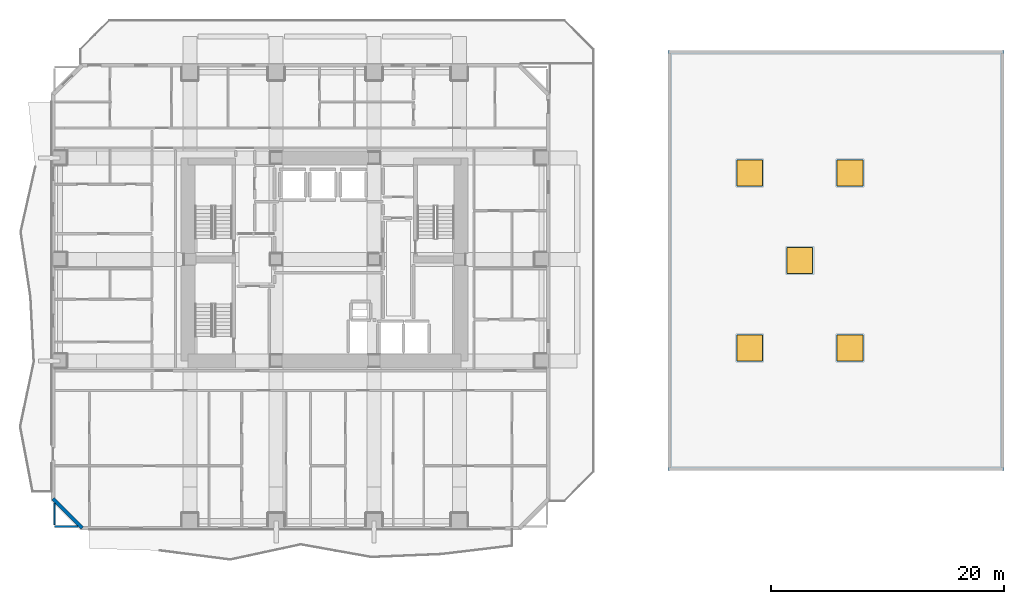
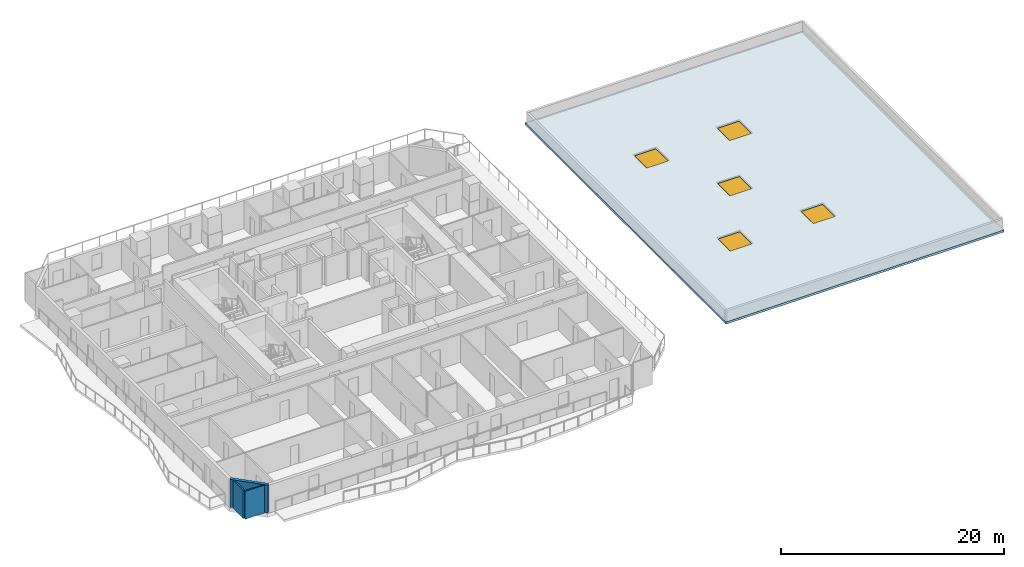
# One storey, part 2 of 13: 5 windows, 3 walls, 1 slab, 5 openings.
"""IFC4 building model written with IfcOpenShell, lengths in metres."""

from ifc_helpers import new_model, si_unit, direction, frame, frame_2d, origin, origin_2d, place, context, subcontext, project, spatial, polyline, rectangle, outline, extrude, material, layer, layer_set, type_object, element, fill, save


model = new_model("IFC4")

# Units and contexts
model_context = context("Model", 3, precision=1e-05, world=origin(), true_north=direction((0.0, 1.0)))
body_context = subcontext(model_context, "Body", "Model", "MODEL_VIEW")
ifc_project = project(units=[si_unit("LENGTHUNIT", "METRE"), si_unit("AREAUNIT", "SQUARE_METRE"), si_unit("VOLUMEUNIT", "CUBIC_METRE"), si_unit("PLANEANGLEUNIT", "RADIAN"), si_unit("MASSUNIT", "GRAM", prefix="KILO")], contexts=[model_context])

# Site, building, storey
site_placement = place(None, origin())
site = spatial("IfcSite", under=ifc_project, at=site_placement, CompositionType="ELEMENT")
building_placement = place(site_placement, origin())
building = spatial("IfcBuilding", under=site, at=building_placement, Name="Solanera Arch Residences", CompositionType="ELEMENT")
storey_placement = place(building_placement, frame((0.0, 0.0, 22.0)))
storey = spatial("IfcBuildingStorey", under=building, at=storey_placement, Name="L05", CompositionType="ELEMENT", Elevation=22.0)

# Slab, openings, windows
ifc_material_1 = material(Name="Concrete C40/50 (f'c = 45 MPa)", Category="concrete")
ifc_layer_1 = layer(ifc_material_1, 0.239990234375)
ifc_layer_set_1 = layer_set([ifc_layer_1], Name="Concrete C40/50 (f'c = 45 MPa)")
slab_type = type_object("IfcSlabType", Name="Roof Deck Slab 240", PredefinedType="ROOF", material=ifc_layer_set_1)
slab_placement = place(storey_placement, origin())
slab = element("IfcSlab", 1, at=slab_placement, inside=storey, type_object=slab_type, Name="Civic Multi-Sports Hall Long-Span Roof Deck Slab", PredefinedType="ROOF", context=body_context, shape_type="SweptSolid", body=[
    extrude(outline(polyline([(54.39990234375, 12.60009765625), (83.199951171875, 12.60009765625), (83.199951171875, 48.60009765625), (54.39990234375, 48.60009765625), (54.39990234375, 12.60009765625)])), origin(), (0.0, 0.0, 1.0), 0.239990234375),
])
opening_1_placement = place(slab_placement, frame((61.39990234375, 23.10009765625, 0.0)))
opening_1 = element("IfcOpeningElement", 2, at=opening_1_placement, cuts=slab, Name="Opening SK-01", PredefinedType="OPENING", context=body_context, shape_type="SweptSolid", body=[
    extrude(rectangle(XDim=2.199951171875, YDim=2.199951171875, at=origin_2d()), origin(), (0.0, 0.0, 1.0), 0.239990234375),
])
opening_2_placement = place(slab_placement, frame((70.0, 23.10009765625, 0.0)))
opening_2 = element("IfcOpeningElement", 3, at=opening_2_placement, cuts=slab, Name="Opening SK-01", PredefinedType="OPENING", context=body_context, shape_type="SweptSolid", body=[
    extrude(rectangle(XDim=2.199951171875, YDim=2.199951171875, at=origin_2d()), origin(), (0.0, 0.0, 1.0), 0.239990234375),
])
opening_3_placement = place(slab_placement, frame((65.699951171875, 30.60009765625, 0.0)))
opening_3 = element("IfcOpeningElement", 4, at=opening_3_placement, cuts=slab, Name="Opening SK-01", PredefinedType="OPENING", context=body_context, shape_type="SweptSolid", body=[
    extrude(rectangle(XDim=2.199951171875, YDim=2.199951171875, at=origin_2d()), origin(), (0.0, 0.0, 1.0), 0.239990234375),
])
opening_4_placement = place(slab_placement, frame((61.39990234375, 38.10009765625, 0.0)))
opening_4 = element("IfcOpeningElement", 5, at=opening_4_placement, cuts=slab, Name="Opening SK-01", PredefinedType="OPENING", context=body_context, shape_type="SweptSolid", body=[
    extrude(rectangle(XDim=2.199951171875, YDim=2.199951171875, at=origin_2d()), origin(), (0.0, 0.0, 1.0), 0.239990234375),
])
opening_5_placement = place(slab_placement, frame((70.0, 38.10009765625, 0.0)))
opening_5 = element("IfcOpeningElement", 6, at=opening_5_placement, cuts=slab, Name="Opening SK-01", PredefinedType="OPENING", context=body_context, shape_type="SweptSolid", body=[
    extrude(rectangle(XDim=2.199951171875, YDim=2.199951171875, at=origin_2d()), origin(), (0.0, 0.0, 1.0), 0.239990234375),
])
ifc_material_2 = material(Name="Double Glazed Low-E Laminated Glass", Category="glass")
window_type = type_object("IfcWindowType", Name="Roof Access Skylight SK-01", PartitioningType="SINGLE_PANEL", PredefinedType="SKYLIGHT", material=ifc_material_2)
window_1_placement = place(opening_1_placement, frame((0.0, 0.0, 0.18994140625)))
window_1 = element("IfcWindow", 7, at=window_1_placement, inside=storey, type_object=window_type, Name="Sports Hall Court Skylight Hatch 1", OverallHeight=2.199951171875, OverallWidth=2.199951171875, PartitioningType="SINGLE_PANEL", PredefinedType="SKYLIGHT", context=body_context, shape_type="SweptSolid", body=[
    extrude(rectangle(XDim=2.199951171875, YDim=2.199951171875, at=origin_2d()), origin(), (0.0, 0.0, 1.0), 0.050048828125),
])
fill(opening_1, window_1)
window_2_placement = place(opening_2_placement, frame((0.0, 0.0, 0.18994140625)))
window_2 = element("IfcWindow", 8, at=window_2_placement, inside=storey, type_object=window_type, Name="Sports Hall Court Skylight Hatch 2", OverallHeight=2.199951171875, OverallWidth=2.199951171875, PartitioningType="SINGLE_PANEL", PredefinedType="SKYLIGHT", context=body_context, shape_type="SweptSolid", body=[
    extrude(rectangle(XDim=2.199951171875, YDim=2.199951171875, at=origin_2d()), origin(), (0.0, 0.0, 1.0), 0.050048828125),
])
fill(opening_2, window_2)
window_3_placement = place(opening_3_placement, frame((0.0, 0.0, 0.18994140625)))
window_3 = element("IfcWindow", 9, at=window_3_placement, inside=storey, type_object=window_type, Name="Sports Hall Court Skylight Hatch 3", OverallHeight=2.199951171875, OverallWidth=2.199951171875, PartitioningType="SINGLE_PANEL", PredefinedType="SKYLIGHT", context=body_context, shape_type="SweptSolid", body=[
    extrude(rectangle(XDim=2.199951171875, YDim=2.199951171875, at=origin_2d()), origin(), (0.0, 0.0, 1.0), 0.050048828125),
])
fill(opening_3, window_3)
window_4_placement = place(opening_4_placement, frame((0.0, 0.0, 0.18994140625)))
window_4 = element("IfcWindow", 10, at=window_4_placement, inside=storey, type_object=window_type, Name="Sports Hall Court Skylight Hatch 4", OverallHeight=2.199951171875, OverallWidth=2.199951171875, PartitioningType="SINGLE_PANEL", PredefinedType="SKYLIGHT", context=body_context, shape_type="SweptSolid", body=[
    extrude(rectangle(XDim=2.199951171875, YDim=2.199951171875, at=origin_2d()), origin(), (0.0, 0.0, 1.0), 0.050048828125),
])
fill(opening_4, window_4)
window_5_placement = place(opening_5_placement, frame((0.0, 0.0, 0.18994140625)))
window_5 = element("IfcWindow", 11, at=window_5_placement, inside=storey, type_object=window_type, Name="Sports Hall Court Skylight Hatch 5", OverallHeight=2.199951171875, OverallWidth=2.199951171875, PartitioningType="SINGLE_PANEL", PredefinedType="SKYLIGHT", context=body_context, shape_type="SweptSolid", body=[
    extrude(rectangle(XDim=2.199951171875, YDim=2.199951171875, at=origin_2d()), origin(), (0.0, 0.0, 1.0), 0.050048828125),
])
fill(opening_5, window_5)

# Walls
ifc_material_3 = material(Name="Precast Concrete C35/45", Category="concrete")
ifc_layer_2 = layer(ifc_material_3, 0.300048828125)
ifc_layer_set_2 = layer_set([ifc_layer_2], Name="Precast Concrete C35/45")
wall_type_1 = type_object("IfcWallType", Name="Exterior Wall Precast Masonry-Frame 300", PredefinedType="STANDARD", material=ifc_layer_set_2)
wall_1_placement = place(storey_placement, frame((4.1650390625, 7.6650390625, 0.0), z_axis=(0.0, 0.0, 1.0), x_axis=(-0.707106781187, 0.707106781187, 0.0)))
element("IfcWall", 12, at=wall_1_placement, inside=storey, type_object=wall_type_1, Name="L05 Tower Exterior Precast Masonry-Frame Wall CH7", PredefinedType="STANDARD", context=body_context, shape_type="SweptSolid", body=[
    extrude(rectangle(XDim=3.53564453125, YDim=0.300048828125, at=frame_2d((1.767822265625, 0.0))), origin(), (0.0, 0.0, 1.0), 3.06005859375),
])
ifc_material_4 = material(Name="Autoclaved Aerated Concrete Blockwork", Category="masonry")
ifc_layer_3 = layer(ifc_material_4, 0.139892578125)
ifc_layer_set_3 = layer_set([ifc_layer_3], Name="Autoclaved Aerated Concrete Blockwork")
wall_type_2 = type_object("IfcWallType", Name="Wet-Room Partition 140", PredefinedType="PARTITIONING", material=ifc_layer_set_3)
wall_2_placement = place(storey_placement, frame((1.800048828125, 7.800048828125, 0.0), z_axis=(0.0, 0.0, 1.0), x_axis=(1.0, 0.0, 0.0)))
element("IfcWall", 13, at=wall_2_placement, inside=storey, type_object=wall_type_2, Name="L05 Interior Partition H14 1", PredefinedType="PARTITIONING", context=body_context, shape_type="SweptSolid", body=[
    extrude(rectangle(XDim=2.0009765625, YDim=0.139892578125, at=frame_2d((1.00048828125, 0.0))), origin(), (0.0, 0.0, 1.0), 3.06005859375),
])
wall_3_placement = place(storey_placement, frame((1.800048828125, 7.947998046875, 0.0), z_axis=(0.0, 0.0, 1.0), x_axis=(0.0, 1.0, 0.0)))
element("IfcWall", 14, at=wall_3_placement, inside=storey, type_object=wall_type_2, Name="L05 Interior Partition V11", PredefinedType="PARTITIONING", context=body_context, shape_type="SweptSolid", body=[
    extrude(rectangle(XDim=1.85302734375, YDim=0.139892578125, at=frame_2d((0.926513671875, 0.0))), origin(), (0.0, 0.0, 1.0), 3.06005859375),
])

save(model, "model.ifc")
